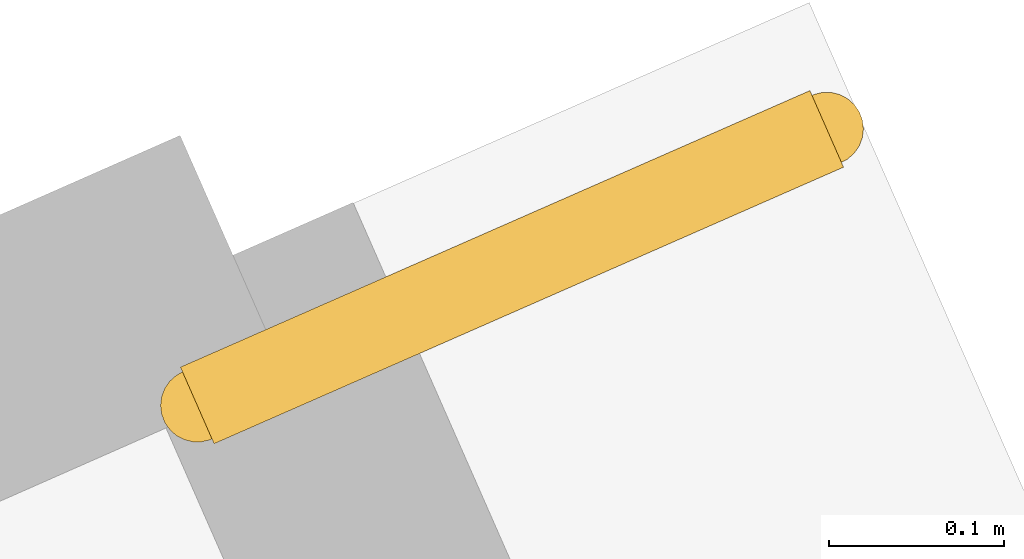
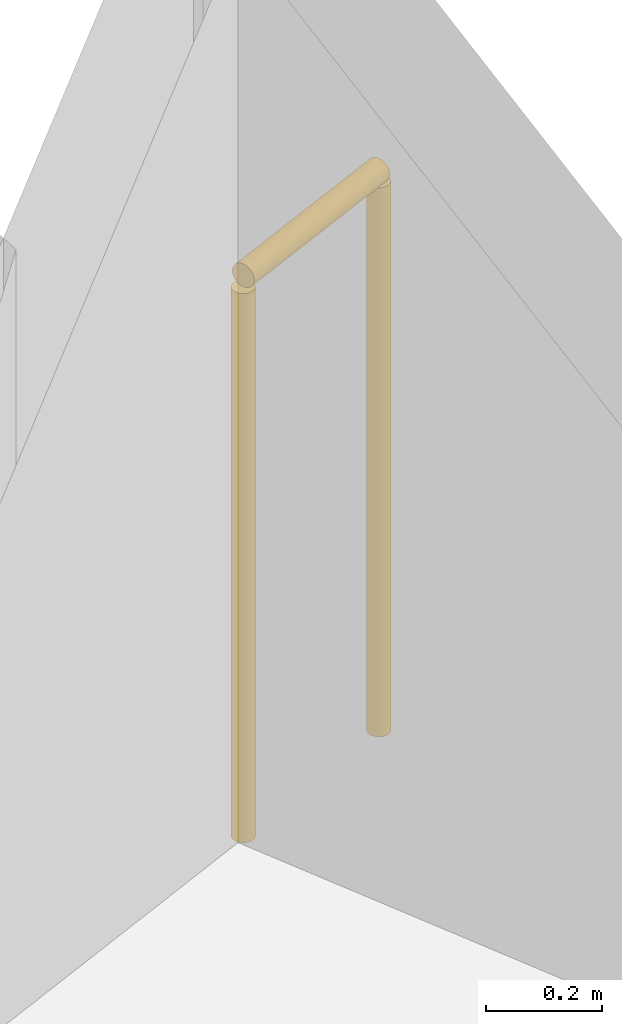
# One storey, part 15 of 15: 1 railing.
"""IFC4 building model written with IfcOpenShell, lengths in metres."""

import ifcopenshell
import ifcopenshell.guid

model = None  # the IFC model being written
_history = None  # IfcOwnerHistory: only IFC2X3 demands one
_inside = {}  # id of a spatial element -> (the spatial element, [elements in it])
_under = {}  # id of a project, library or spatial element -> (it, [spatial elements below it])
_declared = {}  # id of a project -> (the project, [libraries it declares])
_typed = {}  # id of a type object -> (the type object, [elements of that type])
_made_of = {}  # id of a material, layer set ... -> (it, [elements and type objects made of it])


def new_model(schema):
    """Start an empty IFC model of exactly this schema.

    Asked for "IFC4X3", IfcOpenShell would pick the latest addendum, in which some entities
    have other attributes; the version numbers below select the first issue.
    IFC2X3 requires an IfcOwnerHistory on every rooted entity: one is made here for all.
    """
    global model, _history
    if schema == "IFC4X3":
        model = ifcopenshell.file(schema_version=(4, 3, 0, 0))
    else:
        model = ifcopenshell.file(schema=schema)
    _inside.clear()
    _under.clear()
    _declared.clear()
    _typed.clear()
    _made_of.clear()
    _history = None
    if model.schema == "IFC2X3":
        org = make("IfcOrganization", Name="unknown")
        user = make(
            "IfcPersonAndOrganization",
            ThePerson=make("IfcPerson", FamilyName="unknown"),
            TheOrganization=org,
        )
        app = make(
            "IfcApplication",
            ApplicationDeveloper=org,
            Version="unknown",
            ApplicationFullName="unknown",
            ApplicationIdentifier="unknown",
        )
        _history = make(
            "IfcOwnerHistory",
            OwningUser=user,
            OwningApplication=app,
            ChangeAction="ADDED",
            CreationDate=0,
        )
    return model


def make(cls, **values):
    """One entity of the class cls with the attributes given. An attribute that is None is left unset."""
    return model.create_entity(
        cls, **{name: value for name, value in values.items() if value is not None}
    )


def rooted(cls, **values):
    """An entity with a GlobalId (a new one), such as an element, a storey or a relation."""
    return make(cls, GlobalId=ifcopenshell.guid.new(), OwnerHistory=_history, **values)


def si_unit(unit_type, name, prefix=None):
    """IfcSIUnit, for example si_unit("LENGTHUNIT", "METRE", prefix="MILLI")."""
    return make("IfcSIUnit", UnitType=unit_type, Prefix=prefix, Name=name)


def assignment(units):
    """IfcUnitAssignment: the units of a project."""
    return None if units is None else make("IfcUnitAssignment", Units=units)


def point(xyz):
    """IfcCartesianPoint."""
    return None if xyz is None else make("IfcCartesianPoint", Coordinates=xyz)


def direction(xyz):
    """IfcDirection."""
    return None if xyz is None else make("IfcDirection", DirectionRatios=xyz)


def frame(location, z_axis=None, x_axis=None):
    """IfcAxis2Placement3D, a coordinate frame: its origin and axes. An axis left out is left unset."""
    return make(
        "IfcAxis2Placement3D",
        Location=point(location),
        Axis=direction(z_axis),
        RefDirection=direction(x_axis),
    )


def frame_2d(location, x_axis=None):
    """IfcAxis2Placement2D, a coordinate frame in the plane: its origin and x axis."""
    return make(
        "IfcAxis2Placement2D", Location=point(location), RefDirection=direction(x_axis)
    )


def origin():
    """The frame at (0, 0, 0) with its axes left unset."""
    return frame((0.0, 0.0, 0.0))


def origin_2d():
    """The frame at (0, 0) in the plane with its x axis left unset."""
    return frame_2d((0.0, 0.0))


def place(relative_to, where):
    """IfcLocalPlacement: puts the frame where relative to a parent placement (None: the world)."""
    return make(
        "IfcLocalPlacement", PlacementRelTo=relative_to, RelativePlacement=where
    )


def context(
    kind, dimensions, precision=None, world=None, true_north=None, identifier=None
):
    """IfcGeometricRepresentationContext, for example the 3D "Model" context."""
    return make(
        "IfcGeometricRepresentationContext",
        ContextIdentifier=identifier,
        ContextType=kind,
        CoordinateSpaceDimension=dimensions,
        Precision=precision,
        WorldCoordinateSystem=world,
        TrueNorth=true_north,
    )


def subcontext(parent, identifier, kind, view, scale=None):
    """IfcGeometricRepresentationSubContext, for example "Body" below "Model"."""
    return make(
        "IfcGeometricRepresentationSubContext",
        ContextIdentifier=identifier,
        ContextType=kind,
        ParentContext=parent,
        TargetScale=scale,
        TargetView=view,
    )


def project(units=None, contexts=None):
    """IfcProject with its units and contexts."""
    return rooted(
        "IfcProject",
        Name="project",
        RepresentationContexts=contexts,
        UnitsInContext=assignment(units),
    )


def spatial(cls, under=None, at=None, **own):
    """A site, building, storey or space (cls), placed at a placement, below another one or the project."""
    s = rooted(cls, ObjectPlacement=at, **own)
    if under is not None:
        _under.setdefault(under.id(), (under, []))[1].append(s)
    return s


def profile(cls, at=None, kind="AREA", **sizes):
    """A parametric profile (cls). Its sizes go by their IFC names, for example OverallWidth=200.0."""
    return make(cls, ProfileType=kind, Position=at, **sizes)


def circle(**sizes):
    """IfcCircleProfileDef."""
    return profile("IfcCircleProfileDef", **sizes)


def extrude(swept, where, along, depth):
    """IfcExtrudedAreaSolid: the profile swept, set in the frame where, extruded along a direction by depth."""
    return make(
        "IfcExtrudedAreaSolid",
        SweptArea=swept,
        Position=where,
        ExtrudedDirection=direction(along),
        Depth=depth,
    )


def shape(context_of_items, identifier, shape_type, items):
    """IfcShapeRepresentation: the items that make up one representation, for example the "Body"."""
    return make(
        "IfcShapeRepresentation",
        ContextOfItems=context_of_items,
        RepresentationIdentifier=identifier,
        RepresentationType=shape_type,
        Items=items,
    )


def material(Name=None, Category=None):
    """IfcMaterial."""
    return make("IfcMaterial", Name=Name, Category=Category)


def layer(
    of_material, thickness, ventilated=None, Name=None, Category=None, Priority=None
):
    """IfcMaterialLayer: one layer of a wall or slab, of a material (None: an air gap)."""
    return make(
        "IfcMaterialLayer",
        Material=of_material,
        LayerThickness=thickness,
        IsVentilated=ventilated,
        Name=Name,
        Category=Category,
        Priority=Priority,
    )


def layer_set(layers, Name=None):
    """IfcMaterialLayerSet."""
    return make("IfcMaterialLayerSet", MaterialLayers=layers, LayerSetName=Name)


def made_of(thing, what):
    """Note that an element or type object is made of a material, layer set ...; save() writes the relation."""
    if what is not None:
        _made_of.setdefault(what.id(), (what, []))[1].append(thing)
    return thing


def type_object(cls, material=None, **own):
    """A type object (cls), such as IfcWallType, which elements share."""
    return made_of(rooted(cls, **own), material)


def element(
    cls,
    number,
    at=None,
    inside=None,
    cuts=None,
    type_object=None,
    material=None,
    context=None,
    identifier="Body",
    shape_type=None,
    held_by="IfcProductDefinitionShape",
    body=None,
    shapes=None,
    **own,
):
    """One element of the class cls, such as IfcWall. Its Tag is "e" and its number.

    at: its placement. inside: the storey or other place that contains it. cuts: it is an
    opening in that element (IfcRelVoidsElement). A single representation is given by context,
    identifier, shape_type and body (its items); several are given by shapes. held_by: the class
    of the entity that holds the representations. save() writes the other relations.
    """
    e = rooted(cls, Tag="e%d" % number, ObjectPlacement=at, **own)
    if body is not None:
        shapes = [shape(context, identifier, shape_type, body)]
    if shapes is not None:
        e.Representation = make(held_by, Representations=shapes)
    if inside is not None:
        _inside.setdefault(inside.id(), (inside, []))[1].append(e)
    if cuts is not None:
        rooted(
            "IfcRelVoidsElement", RelatingBuildingElement=cuts, RelatedOpeningElement=e
        )
    if type_object is not None:
        _typed.setdefault(type_object.id(), (type_object, []))[1].append(e)
    return made_of(e, material)


def aggregate(whole, parts):
    """IfcRelAggregates: a whole, such as a stair, and the parts it consists of."""
    return rooted("IfcRelAggregates", RelatingObject=whole, RelatedObjects=parts)


def save(model, path):
    """Write the relations noted so far, then the file.

    IfcRelAggregates (storeys below a building ...), IfcRelContainedInSpatialStructure (elements
    in a storey), IfcRelDefinesByType, IfcRelAssociatesMaterial and IfcRelDeclares: one each for
    every whole, place, type object, material and project.
    """
    for whole, parts in _under.values():
        aggregate(whole, parts)
    for where, things in _inside.values():
        rooted(
            "IfcRelContainedInSpatialStructure",
            RelatedElements=things,
            RelatingStructure=where,
        )
    for kind, things in _typed.values():
        rooted("IfcRelDefinesByType", RelatedObjects=things, RelatingType=kind)
    for what, things in _made_of.values():
        rooted("IfcRelAssociatesMaterial", RelatedObjects=things, RelatingMaterial=what)
    for by, libraries in _declared.values():
        rooted("IfcRelDeclares", RelatingContext=by, RelatedDefinitions=libraries)
    model.write(path)


model = new_model("IFC4")

# Units and contexts
model_context = context("Model", 3, precision=1e-05, world=origin(), true_north=direction((0.0, 1.0)))
body_context = subcontext(model_context, "Body", "Model", "MODEL_VIEW")
ifc_project = project(units=[si_unit("LENGTHUNIT", "METRE"), si_unit("AREAUNIT", "SQUARE_METRE"), si_unit("VOLUMEUNIT", "CUBIC_METRE"), si_unit("PLANEANGLEUNIT", "RADIAN"), si_unit("MASSUNIT", "GRAM", prefix="KILO")], contexts=[model_context])

# Site, building, storey
site_placement = place(None, origin())
site = spatial("IfcSite", under=ifc_project, at=site_placement, CompositionType="ELEMENT")
building_placement = place(site_placement, origin())
building = spatial("IfcBuilding", under=site, at=building_placement, Name="Gaonmaruhae Medical Tower", CompositionType="ELEMENT")
storey_placement = place(building_placement, frame((0.0, 0.0, 124.39990234375)))
storey = spatial("IfcBuildingStorey", under=building, at=storey_placement, Name="L29", CompositionType="ELEMENT", Elevation=124.39990234375)

# Railing
ifc_material = material(Name="Stainless steel 316L and laminated safety glass", Category="steel")
ifc_layer = layer(ifc_material, 0.080078125)
ifc_layer_set = layer_set([ifc_layer], Name="Stainless steel 316L and laminated safety glass")
railing_type = type_object("IfcRailingType", Name="GD-120 Outdoor Terrace Safety Glass & Steel Balustrade", PredefinedType="BALUSTRADE", material=ifc_layer_set)
railing_placement = place(storey_placement, frame((55.411376953125, 31.80810546875, 0.0)))
element("IfcRailing", 1, at=railing_placement, inside=storey, type_object=railing_type, Name="L29 Perimeter Slab Edge Safety Balustrade 01", PredefinedType="BALUSTRADE", context=body_context, shape_type="SweptSolid", body=[
    extrude(circle(Radius=0.02392578125, at=origin_2d()), frame((0.0, 0.0, 1.17578125), z_axis=(0.915543697817, 0.402218519448, 0.0), x_axis=(-0.402218519448, 0.915543697817, 0.0)), (0.0, 0.0, 1.0), 0.393310546875),
    extrude(circle(Radius=0.02099609375, at=origin_2d()), origin(), (0.0, 0.0, 1.0), 1.15185546875),
    extrude(circle(Radius=0.02099609375, at=origin_2d()), frame((0.360107421875, 0.158203125, 0.0)), (0.0, 0.0, 1.0), 1.15185546875),
])

save(model, "model.ifc")
